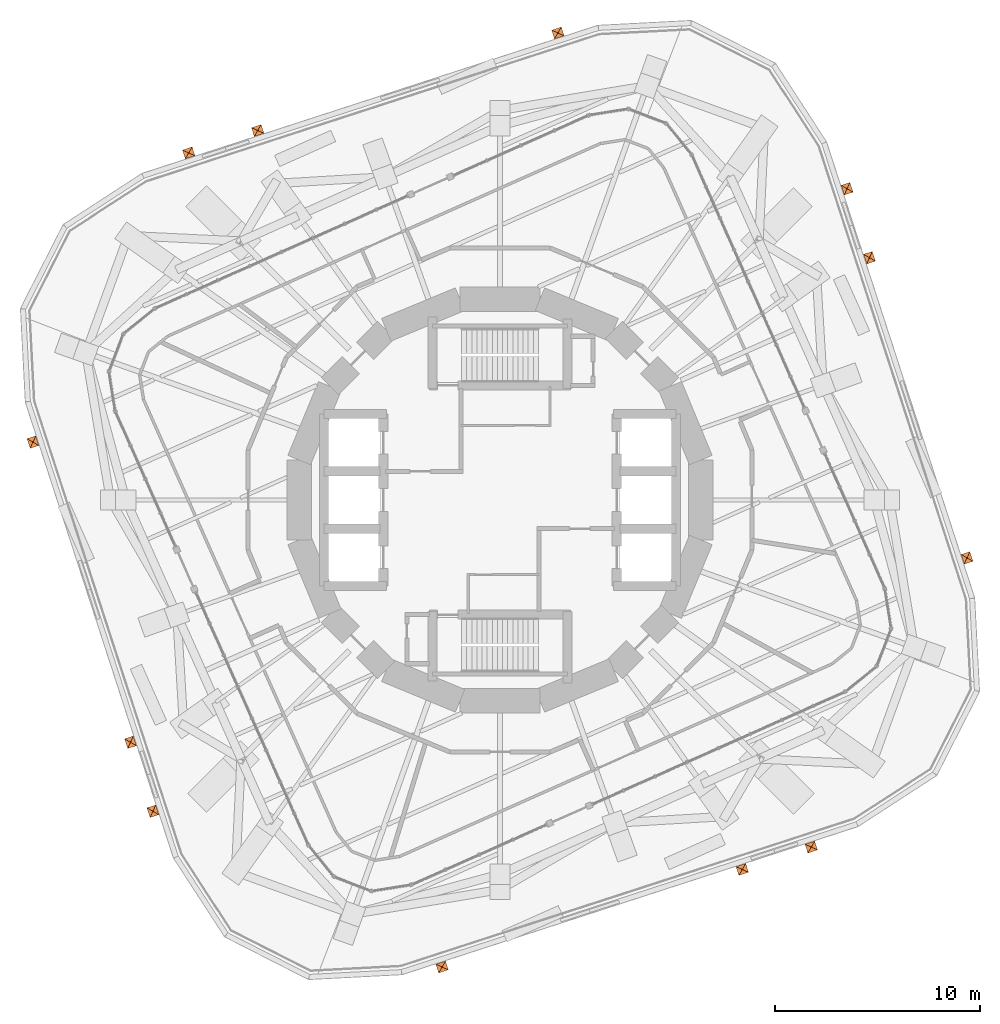
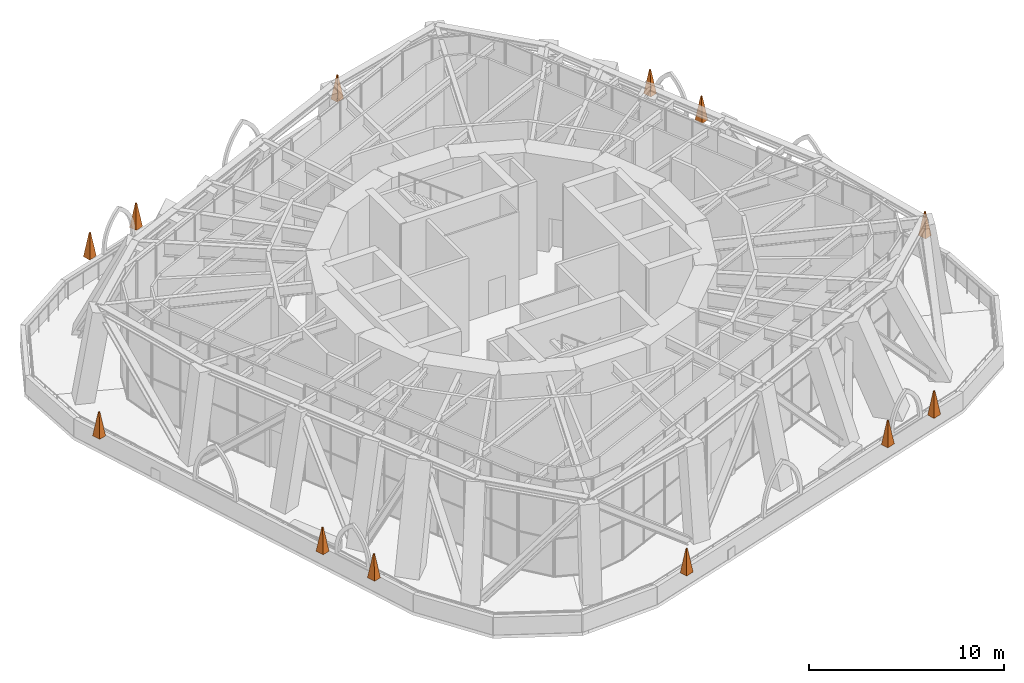
# One storey, part 18 of 18: 12 proxies.
"""IFC4 building model written with IfcOpenShell, lengths in metres."""

from ifc_helpers import new_model, entity, si_unit, direction, frame, origin, place, context, subcontext, project, spatial, material, type_object, element, save


model = new_model("IFC4")

# Units and contexts
model_context = context("Model", 3, precision=1e-05, world=origin(), true_north=direction((0.0, 1.0)))
body_context = subcontext(model_context, "Body", "Model", "MODEL_VIEW")
ifc_project = project(units=[si_unit("LENGTHUNIT", "METRE"), si_unit("AREAUNIT", "SQUARE_METRE"), si_unit("VOLUMEUNIT", "CUBIC_METRE"), si_unit("PLANEANGLEUNIT", "RADIAN"), si_unit("MASSUNIT", "GRAM", prefix="KILO")], contexts=[model_context])

# Site, building, storey
site_placement = place(None, origin())
site = spatial("IfcSite", under=ifc_project, at=site_placement, CompositionType="ELEMENT")
building_placement = place(site_placement, origin())
building = spatial("IfcBuilding", under=site, at=building_placement, Name="Nakasero Lantern House", CompositionType="ELEMENT")
storey_placement = place(building_placement, frame((0.0, 0.0, 176.449951171875)))
storey = spatial("IfcBuildingStorey", under=building, at=storey_placement, Name="L43", CompositionType="ELEMENT", Elevation=176.449951171875)

# Proxies
ifc_material = material(Name="Concrete C40/50 precast", Category="concrete")
building_element_proxy_type = type_object("IfcBuildingElementProxyType", Name="Pinnacle 500x450", PredefinedType="USERDEFINED", material=ifc_material)
for number, where, z_axis, x_axis, name in (
    (1, (22.815673828125, -2.828369140625, 1.10009765625), (0.0, 0.0, 1.0), (0.951056516295, 0.309016994375, 0.0), "Pinnacle B4 0-00"),
    (2, (18.051025390625, 11.83544921875, 1.10009765625), (0.0, 0.0, 1.0), (0.951056516295, 0.309016994375, 0.0), "Pinnacle B4 0-01"),
    (3, (16.955810546875, 15.206298828125, 1.10009765625), (0.0, 0.0, 1.0), (0.951056516295, 0.309016994375, 0.0), "Pinnacle B4 0-02"),
    (4, (2.828369140625, 22.815673828125, 1.10009765625), (0.0, 0.0, 1.0), (-0.309016994375, 0.951056516295, 0.0), "Pinnacle B4 1-00"),
    (5, (-11.83544921875, 18.051025390625, 1.10009765625), (0.0, 0.0, 1.0), (-0.309016994375, 0.951056516295, 0.0), "Pinnacle B4 1-01"),
    (6, (-15.206298828125, 16.955810546875, 1.10009765625), (0.0, 0.0, 1.0), (-0.309016994375, 0.951056516295, 0.0), "Pinnacle B4 1-02"),
    (7, (-22.815673828125, 2.828369140625, 1.10009765625), (0.0, 0.0, 1.0), (-0.951056516295, -0.309016994375, 0.0), "Pinnacle B4 2-00"),
    (8, (-18.051025390625, -11.83544921875, 1.10009765625), (0.0, 0.0, 1.0), (-0.951056516295, -0.309016994375, 0.0), "Pinnacle B4 2-01"),
    (9, (-16.955810546875, -15.206298828125, 1.10009765625), (0.0, 0.0, 1.0), (-0.951056516295, -0.309016994375, 0.0), "Pinnacle B4 2-02"),
    (10, (-2.828369140625, -22.815673828125, 1.10009765625), (0.0, 0.0, 1.0), (0.309016994375, -0.951056516295, 0.0), "Pinnacle B4 3-00"),
    (11, (11.83544921875, -18.051025390625, 1.10009765625), (0.0, 0.0, 1.0), (0.309016994375, -0.951056516295, 0.0), "Pinnacle B4 3-01"),
    (12, (15.206298828125, -16.955810546875, 1.10009765625), (0.0, 0.0, 1.0), (0.309016994375, -0.951056516295, 0.0), "Pinnacle B4 3-02"),
):
    element("IfcBuildingElementProxy", number, at=place(storey_placement, frame(where, z_axis=z_axis, x_axis=x_axis)), inside=storey, type_object=building_element_proxy_type, Name=name, ObjectType="PINNACLE", PredefinedType="USERDEFINED", context=body_context, shape_type="SweptSolid", body=[
        entity("IfcExtrudedAreaSolidTapered", entity("IfcRectangleProfileDef", "AREA", None, entity("IfcAxis2Placement2D", entity("IfcCartesianPoint", [0.0, 0.0])), 0.449951171875, 0.5), entity("IfcAxis2Placement3D", entity("IfcCartesianPoint", [0.0, 0.0, 0.0])), entity("IfcDirection", [0.0, 0.0, 1.0]), 1.5, entity("IfcRectangleProfileDef", "AREA", None, entity("IfcAxis2Placement2D", entity("IfcCartesianPoint", [0.0, 0.0])), 0.06005859375, 0.06005859375)),
    ])

save(model, "model.ifc")
